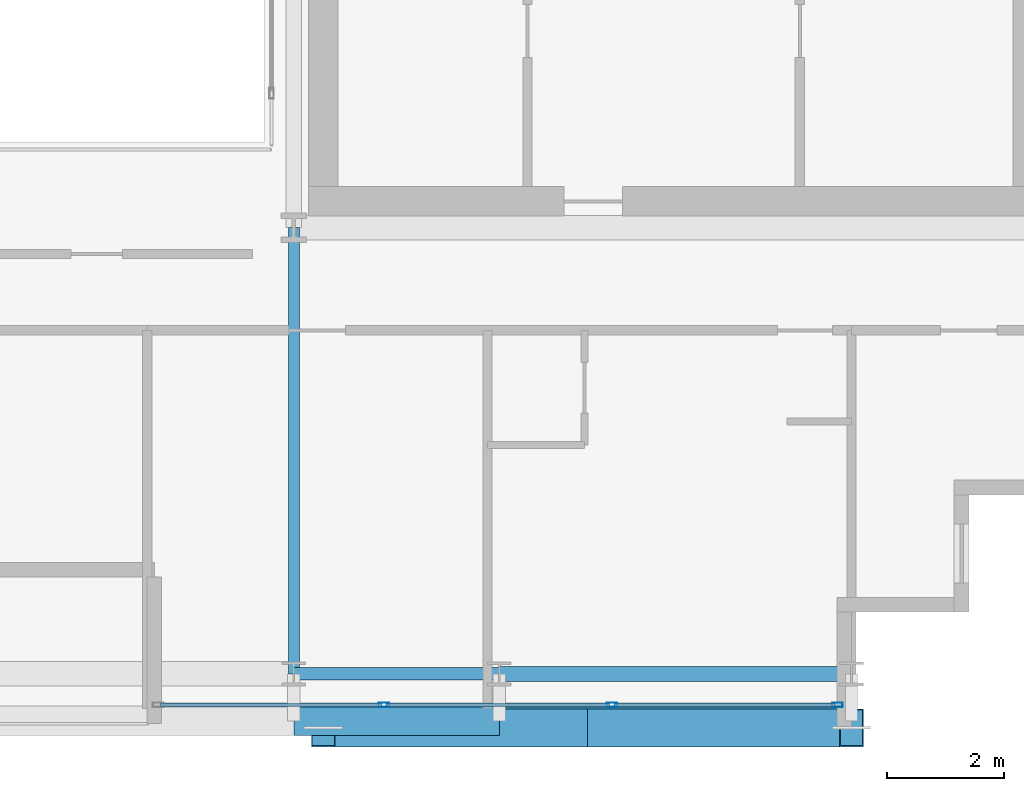
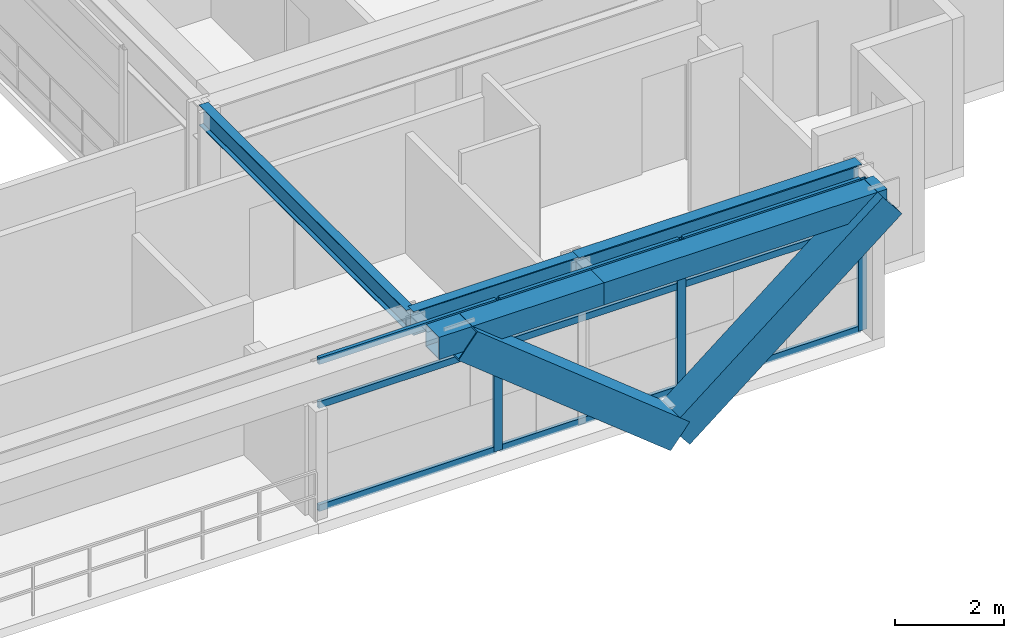
# One storey, part 12 of 37: 14 members, 5 beams, 1 element without a shape of its own.
"""IFC4 building model written with IfcOpenShell, lengths in metres."""

from ifc_helpers import new_model, si_unit, direction, frame, origin, origin_2d, place, context, subcontext, project, spatial, hollow_rectangle, i_section, extrude, source, transform, mapped, material, layer, layer_set, material_profile, profile_set, type_object, element, aggregate, save


model = new_model("IFC4")

# Units and contexts
model_context = context("Model", 3, precision=1e-05, world=origin(), true_north=direction((0.0, 1.0)))
body_context = subcontext(model_context, "Body", "Model", "MODEL_VIEW")
ifc_project = project(units=[si_unit("LENGTHUNIT", "METRE"), si_unit("AREAUNIT", "SQUARE_METRE"), si_unit("VOLUMEUNIT", "CUBIC_METRE"), si_unit("PLANEANGLEUNIT", "RADIAN"), si_unit("MASSUNIT", "GRAM", prefix="KILO")], contexts=[model_context])

# Site, building, storey
site_placement = place(None, origin())
site = spatial("IfcSite", under=ifc_project, at=site_placement, CompositionType="ELEMENT")
building_placement = place(site_placement, origin())
building = spatial("IfcBuilding", under=site, at=building_placement, Name="Ocotamira Hotel", CompositionType="ELEMENT")
storey_placement = place(building_placement, frame((0.0, 0.0, 192.0)))
storey = spatial("IfcBuildingStorey", under=building, at=storey_placement, Name="L48", CompositionType="ELEMENT", Elevation=192.0)

# Beams
ifc_material_1 = material(Name="Steel ASTM A992 Grade 50", Category="steel")
ifc_material_profile_1 = material_profile(ifc_material_1, i_section(OverallWidth=0.256103515625, OverallDepth=0.693115234375, WebThickness=0.014404296875, FlangeThickness=0.023681640625, FilletRadius=0.01611328125, at=origin_2d()), Name="W27X114")
ifc_profile_set_1 = profile_set([ifc_material_profile_1], Name="Steel ASTM A992 Grade 50")
beam_type_1 = type_object("IfcBeamType", Name="BM-PRIM-W27X114", PredefinedType="BEAM", material=ifc_profile_set_1)
shared_shape_1 = source(origin(), body_context, "Body", "SweptSolid", [
    extrude(i_section(OverallWidth=0.256103515625, OverallDepth=0.693115234375, WebThickness=0.014404296875, FlangeThickness=0.023681640625, FilletRadius=0.01611328125, at=origin_2d()), origin(), (0.0, 0.0, 1.0), 6.0),
])
beam_1_placement = place(storey_placement, frame((44.0, 6.949951171875, 3.0234375), z_axis=(1.0, 0.0, 0.0), x_axis=(0.0, 1.0, 0.0)))
element("IfcBeam", 1, at=beam_1_placement, inside=storey, type_object=beam_type_1, Name="L48 Girder Y6.95 X44-50", PredefinedType="BEAM", context=body_context, shape_type="MappedRepresentation", body=[
    mapped(shared_shape_1, transform((0.0, 0.0, 0.0), scale=1.0)),
])
ifc_material_profile_2 = material_profile(ifc_material_1, i_section(OverallWidth=0.2099609375, OverallDepth=0.537109375, WebThickness=0.010986328125, FlangeThickness=0.017333984375, FilletRadius=0.012939453125, at=origin_2d()), Name="W21X68")
ifc_profile_set_2 = profile_set([ifc_material_profile_2], Name="Steel ASTM A992 Grade 50")
beam_type_2 = type_object("IfcBeamType", Name="BM-SEC-W21X68", PredefinedType="JOIST", material=ifc_profile_set_2)
shared_shape_2 = source(origin(), body_context, "Body", "SweptSolid", [
    extrude(i_section(OverallWidth=0.2099609375, OverallDepth=0.537109375, WebThickness=0.010986328125, FlangeThickness=0.017333984375, FilletRadius=0.012939453125, at=origin_2d()), origin(), (0.0, 0.0, 1.0), 3.5),
])
beam_2_placement = place(storey_placement, frame((40.5, 6.949951171875, 3.1015625), z_axis=(1.0, 0.0, 0.0), x_axis=(0.0, 1.0, 0.0)))
element("IfcBeam", 2, at=beam_2_placement, inside=storey, type_object=beam_type_2, Name="L48 Girder Y6.95 X40.5-44", PredefinedType="JOIST", context=body_context, shape_type="MappedRepresentation", body=[
    mapped(shared_shape_2, transform((0.0, 0.0, 0.0), scale=1.0)),
])
ifc_material_2 = material(Name="Steel ASTM A500 Grade C", Category="steel")
ifc_material_profile_3 = material_profile(ifc_material_2, hollow_rectangle(XDim=0.5, YDim=0.5, WallThickness=0.02001953125, at=origin_2d()), Name="HSS500X500X20")
ifc_profile_set_3 = profile_set([ifc_material_profile_3], Name="Steel ASTM A500 Grade C")
beam_type_3 = type_object("IfcBeamType", Name="BM-SPAN-HSS500", PredefinedType="USERDEFINED", material=ifc_profile_set_3)
shared_shape_3 = source(origin(), body_context, "Body", "SweptSolid", [
    extrude(hollow_rectangle(XDim=0.5, YDim=0.5, WallThickness=0.02001953125, at=origin_2d()), origin(), (0.0, 0.0, 1.0), 6.0),
])
beam_3_placement = place(storey_placement, frame((44.0, 6.14990234375, 3.1201171875), z_axis=(1.0, 0.0, 0.0), x_axis=(0.0, 1.0, 0.0)))
element("IfcBeam", 3, at=beam_3_placement, inside=storey, type_object=beam_type_3, Name="L48 Edge Spandrel S X44-50", ObjectType="SPANDREL", PredefinedType="USERDEFINED", context=body_context, shape_type="MappedRepresentation", body=[
    mapped(shared_shape_3, transform((0.0, 0.0, 0.0), scale=1.0)),
])
shared_shape_4 = source(origin(), body_context, "Body", "SweptSolid", [
    extrude(hollow_rectangle(XDim=0.5, YDim=0.5, WallThickness=0.02001953125, at=origin_2d()), origin(), (0.0, 0.0, 1.0), 3.5),
])
beam_4_placement = place(storey_placement, frame((40.5, 6.14990234375, 3.1201171875), z_axis=(1.0, 0.0, 0.0), x_axis=(0.0, 1.0, 0.0)))
element("IfcBeam", 4, at=beam_4_placement, inside=storey, type_object=beam_type_3, Name="L48 Edge Spandrel S X40.5-44", ObjectType="SPANDREL", PredefinedType="USERDEFINED", context=body_context, shape_type="MappedRepresentation", body=[
    mapped(shared_shape_4, transform((0.0, 0.0, 0.0), scale=1.0)),
])
ifc_material_profile_4 = material_profile(ifc_material_1, i_section(OverallWidth=0.18994140625, OverallDepth=0.45703125, WebThickness=0.009033203125, FlangeThickness=0.014404296875, FilletRadius=0.010009765625, at=origin_2d()), Name="W18X50")
ifc_profile_set_4 = profile_set([ifc_material_profile_4], Name="Steel ASTM A992 Grade 50")
beam_type_4 = type_object("IfcBeamType", Name="BM-SEC-W18X50", PredefinedType="JOIST", material=ifc_profile_set_4)
shared_shape_5 = source(origin(), body_context, "Body", "SweptSolid", [
    extrude(i_section(OverallWidth=0.18994140625, OverallDepth=0.45703125, WebThickness=0.009033203125, FlangeThickness=0.014404296875, FilletRadius=0.010009765625, at=origin_2d()), origin(), (0.0, 0.0, 1.0), 7.60009765625),
])
beam_5_placement = place(storey_placement, frame((40.5, 6.949951171875, 3.1416015625), z_axis=(0.0, 1.0, 0.0), x_axis=(-1.0, 0.0, 0.0)))
element("IfcBeam", 5, at=beam_5_placement, inside=storey, type_object=beam_type_4, Name="L48 Beam X40.5 Y6.95-14.55", PredefinedType="JOIST", context=body_context, shape_type="MappedRepresentation", body=[
    mapped(shared_shape_5, transform((0.0, 0.0, 0.0), scale=1.0)),
])

# Members
ifc_material_3 = material(Name="Pale-metal coated steel ASTM A913 Grade 65", Category="steel")
ifc_material_profile_5 = material_profile(ifc_material_3, hollow_rectangle(XDim=0.64990234375, YDim=0.64990234375, WallThickness=0.02197265625, at=origin_2d()), Name="BOX650X650X22")
ifc_profile_set_5 = profile_set([ifc_material_profile_5], Name="Pale-metal coated steel ASTM A913 Grade 65")
member_type_1 = type_object("IfcMemberType", Name="MEM-EXO-BOX650", PredefinedType="BRACE", material=ifc_profile_set_5)
shared_shape_6 = source(origin(), body_context, "Body", "SweptSolid", [
    extrude(hollow_rectangle(XDim=0.64990234375, YDim=0.64990234375, WallThickness=0.02197265625, at=origin_2d()), origin(), (0.0, 0.0, 1.0), 5.762939453125),
])
for number, where, z_axis, x_axis, name in (
    (6, (45.5, 6.030029296875, -0.47998046875), (-0.780860543151, 0.0, 0.624705380279), (0.0, -1.0, 0.0), "L48 Exoskeleton Diagrid S3.1"),
    (7, (45.5, 6.030029296875, -0.47998046875), (0.780860543151, 0.0, 0.624705380279), (0.0, 1.0, 0.0), "L48 Exoskeleton Diagrid S3.2"),
):
    element("IfcMember", number, at=place(storey_placement, frame(where, z_axis=z_axis, x_axis=x_axis)), inside=storey, type_object=member_type_1, Name=name, PredefinedType="BRACE", context=body_context, shape_type="MappedRepresentation", body=[
        mapped(shared_shape_6, transform((0.0, 0.0, 0.0), scale=1.0)),
    ])

# Curtain wall, members
ifc_material_4 = material(Name="Anodised pale-metal aluminium and solar glass", Category="aluminium")
ifc_layer = layer(ifc_material_4, 0.199951171875)
ifc_layer_set = layer_set([ifc_layer], Name="Anodised pale-metal aluminium and solar glass")
curtain_wall_type = type_object("IfcCurtainWallType", Name="CW-SYS4-Z3", PredefinedType="NOTDEFINED", material=ifc_layer_set)
curtain_wall_placement = place(storey_placement, origin())
curtain_wall = element("IfcCurtainWall", 8, at=curtain_wall_placement, inside=storey, type_object=curtain_wall_type, Name="L48 Curtain Wall CW-4 CW-L48-S2", PredefinedType="NOTDEFINED")
ifc_material_5 = material(Name="Anodised pale-metal aluminium 6063-T6", Category="aluminium")
ifc_material_profile_6 = material_profile(ifc_material_5, hollow_rectangle(XDim=0.080078125, YDim=0.179931640625, WallThickness=0.006103515625, at=origin_2d()), Name="HSS180X80X6")
ifc_profile_set_6 = profile_set([ifc_material_profile_6], Name="Anodised pale-metal aluminium 6063-T6")
member_type_2 = type_object("IfcMemberType", Name="CWM-180X75", PredefinedType="MULLION", material=ifc_profile_set_6)
shared_shape_7 = source(origin(), body_context, "Body", "SweptSolid", [
    extrude(hollow_rectangle(XDim=0.080078125, YDim=0.179931640625, WallThickness=0.006103515625, at=origin_2d()), origin(), (0.0, 0.0, 1.0), 3.3701171875),
])
member_1_placement = place(storey_placement, frame((42.033447265625, 6.419921875, 0.0), z_axis=(0.0, 0.0, 1.0), x_axis=(0.0, 1.0, 0.0)))
member_1 = element("IfcMember", 9, at=member_1_placement, type_object=member_type_2, Name="CW-4 mullion 2", PredefinedType="MULLION", context=body_context, shape_type="MappedRepresentation", body=[
    mapped(shared_shape_7, transform((0.0, 0.0, 0.0), scale=1.0)),
])
member_2_placement = place(storey_placement, frame((45.916748046875, 6.419921875, 0.0), z_axis=(0.0, 0.0, 1.0), x_axis=(0.0, 1.0, 0.0)))
member_2 = element("IfcMember", 10, at=member_2_placement, type_object=member_type_2, Name="CW-4 mullion 3", PredefinedType="MULLION", context=body_context, shape_type="MappedRepresentation", body=[
    mapped(shared_shape_7, transform((0.0, 0.0, 0.0), scale=1.0)),
])
member_3_placement = place(storey_placement, frame((49.760009765625, 6.419921875, 0.0), z_axis=(0.0, 0.0, 1.0), x_axis=(0.0, 1.0, 0.0)))
member_3 = element("IfcMember", 11, at=member_3_placement, type_object=member_type_2, Name="CW-4 mullion 4", PredefinedType="MULLION", context=body_context, shape_type="MappedRepresentation", body=[
    mapped(shared_shape_7, transform((0.0, 0.0, 0.0), scale=1.0)),
])
ifc_material_profile_7 = material_profile(ifc_material_5, hollow_rectangle(XDim=0.074951171875, YDim=0.14990234375, WallThickness=0.006103515625, at=origin_2d()), Name="HSS150X75X6")
ifc_profile_set_7 = profile_set([ifc_material_profile_7], Name="Anodised pale-metal aluminium 6063-T6")
member_type_3 = type_object("IfcMemberType", Name="CWT-150X75", PredefinedType="USERDEFINED", material=ifc_profile_set_7)
shared_shape_8 = source(origin(), body_context, "Body", "SweptSolid", [
    extrude(hollow_rectangle(XDim=0.074951171875, YDim=0.14990234375, WallThickness=0.006103515625, at=origin_2d()), origin(), (0.0, 0.0, 1.0), 3.76318359375),
])
member_4_placement = place(storey_placement, frame((45.956787109375, 6.419921875, 0.03759765625), z_axis=(1.0, 0.0, 0.0), x_axis=(0.0, 1.0, 0.0)))
member_4 = element("IfcMember", 12, at=member_4_placement, type_object=member_type_3, Name="CW-4 transom 3.1", ObjectType="TRANSOM", PredefinedType="USERDEFINED", context=body_context, shape_type="MappedRepresentation", body=[
    mapped(shared_shape_8, transform((0.0, 0.0, 0.0), scale=1.0)),
])
member_5_placement = place(storey_placement, frame((45.956787109375, 6.419921875, 2.35009765625), z_axis=(1.0, 0.0, 0.0), x_axis=(0.0, 1.0, 0.0)))
member_5 = element("IfcMember", 13, at=member_5_placement, type_object=member_type_3, Name="CW-4 transom 3.2", ObjectType="TRANSOM", PredefinedType="USERDEFINED", context=body_context, shape_type="MappedRepresentation", body=[
    mapped(shared_shape_8, transform((0.0, 0.0, 0.0), scale=1.0)),
])
member_6_placement = place(storey_placement, frame((45.956787109375, 6.419921875, 3.33251953125), z_axis=(1.0, 0.0, 0.0), x_axis=(0.0, 1.0, 0.0)))
member_6 = element("IfcMember", 14, at=member_6_placement, type_object=member_type_3, Name="CW-4 transom 3.3", ObjectType="TRANSOM", PredefinedType="USERDEFINED", context=body_context, shape_type="MappedRepresentation", body=[
    mapped(shared_shape_8, transform((0.0, 0.0, 0.0), scale=1.0)),
])
shared_shape_9 = source(origin(), body_context, "Body", "SweptSolid", [
    extrude(hollow_rectangle(XDim=0.074951171875, YDim=0.14990234375, WallThickness=0.006103515625, at=origin_2d()), origin(), (0.0, 0.0, 1.0), 3.803466796875),
])
member_7_placement = place(storey_placement, frame((42.0732421875, 6.419921875, 0.03759765625), z_axis=(1.0, 0.0, 0.0), x_axis=(0.0, 1.0, 0.0)))
member_7 = element("IfcMember", 15, at=member_7_placement, type_object=member_type_3, Name="CW-4 transom 2.1", ObjectType="TRANSOM", PredefinedType="USERDEFINED", context=body_context, shape_type="MappedRepresentation", body=[
    mapped(shared_shape_9, transform((0.0, 0.0, 0.0), scale=1.0)),
])
member_8_placement = place(storey_placement, frame((42.0732421875, 6.419921875, 2.35009765625), z_axis=(1.0, 0.0, 0.0), x_axis=(0.0, 1.0, 0.0)))
member_8 = element("IfcMember", 16, at=member_8_placement, type_object=member_type_3, Name="CW-4 transom 2.2", ObjectType="TRANSOM", PredefinedType="USERDEFINED", context=body_context, shape_type="MappedRepresentation", body=[
    mapped(shared_shape_9, transform((0.0, 0.0, 0.0), scale=1.0)),
])
member_9_placement = place(storey_placement, frame((42.0732421875, 6.419921875, 3.33251953125), z_axis=(1.0, 0.0, 0.0), x_axis=(0.0, 1.0, 0.0)))
member_9 = element("IfcMember", 17, at=member_9_placement, type_object=member_type_3, Name="CW-4 transom 2.3", ObjectType="TRANSOM", PredefinedType="USERDEFINED", context=body_context, shape_type="MappedRepresentation", body=[
    mapped(shared_shape_9, transform((0.0, 0.0, 0.0), scale=1.0)),
])
shared_shape_10 = source(origin(), body_context, "Body", "SweptSolid", [
    extrude(hollow_rectangle(XDim=0.074951171875, YDim=0.14990234375, WallThickness=0.006103515625, at=origin_2d()), origin(), (0.0, 0.0, 1.0), 3.763427734375),
])
member_10_placement = place(storey_placement, frame((38.22998046875, 6.419921875, 0.03759765625), z_axis=(1.0, 0.0, 0.0), x_axis=(0.0, 1.0, 0.0)))
member_10 = element("IfcMember", 18, at=member_10_placement, type_object=member_type_3, Name="CW-4 transom 1.1", ObjectType="TRANSOM", PredefinedType="USERDEFINED", context=body_context, shape_type="MappedRepresentation", body=[
    mapped(shared_shape_10, transform((0.0, 0.0, 0.0), scale=1.0)),
])
member_11_placement = place(storey_placement, frame((38.22998046875, 6.419921875, 2.35009765625), z_axis=(1.0, 0.0, 0.0), x_axis=(0.0, 1.0, 0.0)))
member_11 = element("IfcMember", 19, at=member_11_placement, type_object=member_type_3, Name="CW-4 transom 1.2", ObjectType="TRANSOM", PredefinedType="USERDEFINED", context=body_context, shape_type="MappedRepresentation", body=[
    mapped(shared_shape_10, transform((0.0, 0.0, 0.0), scale=1.0)),
])
member_12_placement = place(storey_placement, frame((38.22998046875, 6.419921875, 3.33251953125), z_axis=(1.0, 0.0, 0.0), x_axis=(0.0, 1.0, 0.0)))
member_12 = element("IfcMember", 20, at=member_12_placement, type_object=member_type_3, Name="CW-4 transom 1.3", ObjectType="TRANSOM", PredefinedType="USERDEFINED", context=body_context, shape_type="MappedRepresentation", body=[
    mapped(shared_shape_10, transform((0.0, 0.0, 0.0), scale=1.0)),
])
aggregate(curtain_wall, [member_1, member_2, member_3, member_10, member_11, member_12, member_7, member_8, member_9, member_4, member_5, member_6])

save(model, "model.ifc")
